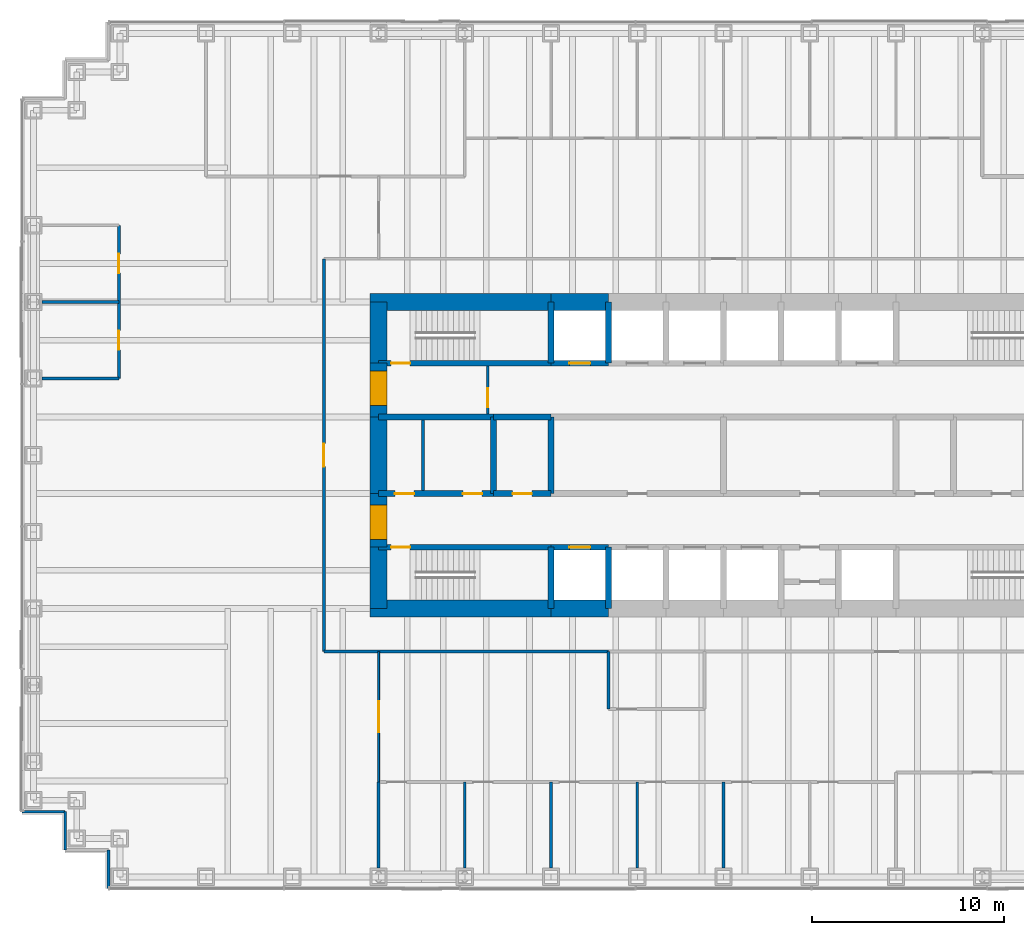
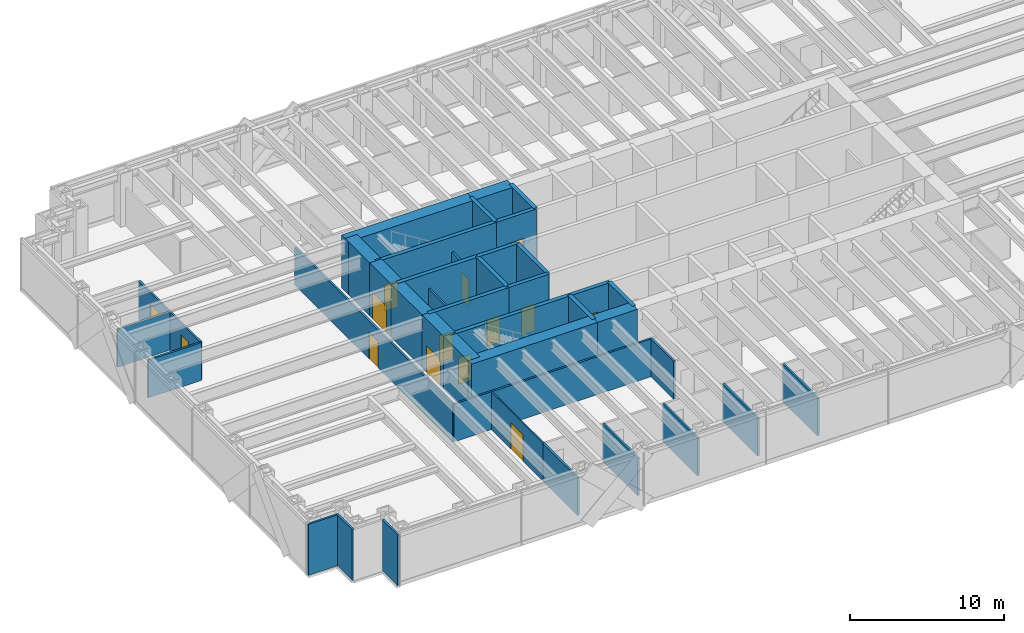
# One storey, part 11 of 15: 40 walls, 14 doors, 14 openings.
"""IFC4 building model written with IfcOpenShell, lengths in metres."""

import ifcopenshell
import ifcopenshell.guid

model = None  # the IFC model being written
_history = None  # IfcOwnerHistory: only IFC2X3 demands one
_inside = {}  # id of a spatial element -> (the spatial element, [elements in it])
_under = {}  # id of a project, library or spatial element -> (it, [spatial elements below it])
_declared = {}  # id of a project -> (the project, [libraries it declares])
_typed = {}  # id of a type object -> (the type object, [elements of that type])
_made_of = {}  # id of a material, layer set ... -> (it, [elements and type objects made of it])


def new_model(schema):
    """Start an empty IFC model of exactly this schema.

    Asked for "IFC4X3", IfcOpenShell would pick the latest addendum, in which some entities
    have other attributes; the version numbers below select the first issue.
    IFC2X3 requires an IfcOwnerHistory on every rooted entity: one is made here for all.
    """
    global model, _history
    if schema == "IFC4X3":
        model = ifcopenshell.file(schema_version=(4, 3, 0, 0))
    else:
        model = ifcopenshell.file(schema=schema)
    _inside.clear()
    _under.clear()
    _declared.clear()
    _typed.clear()
    _made_of.clear()
    _history = None
    if model.schema == "IFC2X3":
        org = make("IfcOrganization", Name="unknown")
        user = make(
            "IfcPersonAndOrganization",
            ThePerson=make("IfcPerson", FamilyName="unknown"),
            TheOrganization=org,
        )
        app = make(
            "IfcApplication",
            ApplicationDeveloper=org,
            Version="unknown",
            ApplicationFullName="unknown",
            ApplicationIdentifier="unknown",
        )
        _history = make(
            "IfcOwnerHistory",
            OwningUser=user,
            OwningApplication=app,
            ChangeAction="ADDED",
            CreationDate=0,
        )
    return model


def make(cls, **values):
    """One entity of the class cls with the attributes given. An attribute that is None is left unset."""
    return model.create_entity(
        cls, **{name: value for name, value in values.items() if value is not None}
    )


def rooted(cls, **values):
    """An entity with a GlobalId (a new one), such as an element, a storey or a relation."""
    return make(cls, GlobalId=ifcopenshell.guid.new(), OwnerHistory=_history, **values)


def si_unit(unit_type, name, prefix=None):
    """IfcSIUnit, for example si_unit("LENGTHUNIT", "METRE", prefix="MILLI")."""
    return make("IfcSIUnit", UnitType=unit_type, Prefix=prefix, Name=name)


def assignment(units):
    """IfcUnitAssignment: the units of a project."""
    return None if units is None else make("IfcUnitAssignment", Units=units)


def point(xyz):
    """IfcCartesianPoint."""
    return None if xyz is None else make("IfcCartesianPoint", Coordinates=xyz)


def direction(xyz):
    """IfcDirection."""
    return None if xyz is None else make("IfcDirection", DirectionRatios=xyz)


def frame(location, z_axis=None, x_axis=None):
    """IfcAxis2Placement3D, a coordinate frame: its origin and axes. An axis left out is left unset."""
    return make(
        "IfcAxis2Placement3D",
        Location=point(location),
        Axis=direction(z_axis),
        RefDirection=direction(x_axis),
    )


def frame_2d(location, x_axis=None):
    """IfcAxis2Placement2D, a coordinate frame in the plane: its origin and x axis."""
    return make(
        "IfcAxis2Placement2D", Location=point(location), RefDirection=direction(x_axis)
    )


def origin():
    """The frame at (0, 0, 0) with its axes left unset."""
    return frame((0.0, 0.0, 0.0))


def place(relative_to, where):
    """IfcLocalPlacement: puts the frame where relative to a parent placement (None: the world)."""
    return make(
        "IfcLocalPlacement", PlacementRelTo=relative_to, RelativePlacement=where
    )


def context(
    kind, dimensions, precision=None, world=None, true_north=None, identifier=None
):
    """IfcGeometricRepresentationContext, for example the 3D "Model" context."""
    return make(
        "IfcGeometricRepresentationContext",
        ContextIdentifier=identifier,
        ContextType=kind,
        CoordinateSpaceDimension=dimensions,
        Precision=precision,
        WorldCoordinateSystem=world,
        TrueNorth=true_north,
    )


def subcontext(parent, identifier, kind, view, scale=None):
    """IfcGeometricRepresentationSubContext, for example "Body" below "Model"."""
    return make(
        "IfcGeometricRepresentationSubContext",
        ContextIdentifier=identifier,
        ContextType=kind,
        ParentContext=parent,
        TargetScale=scale,
        TargetView=view,
    )


def project(units=None, contexts=None):
    """IfcProject with its units and contexts."""
    return rooted(
        "IfcProject",
        Name="project",
        RepresentationContexts=contexts,
        UnitsInContext=assignment(units),
    )


def spatial(cls, under=None, at=None, **own):
    """A site, building, storey or space (cls), placed at a placement, below another one or the project."""
    s = rooted(cls, ObjectPlacement=at, **own)
    if under is not None:
        _under.setdefault(under.id(), (under, []))[1].append(s)
    return s


def profile(cls, at=None, kind="AREA", **sizes):
    """A parametric profile (cls). Its sizes go by their IFC names, for example OverallWidth=200.0."""
    return make(cls, ProfileType=kind, Position=at, **sizes)


def rectangle(**sizes):
    """IfcRectangleProfileDef."""
    return profile("IfcRectangleProfileDef", **sizes)


def extrude(swept, where, along, depth):
    """IfcExtrudedAreaSolid: the profile swept, set in the frame where, extruded along a direction by depth."""
    return make(
        "IfcExtrudedAreaSolid",
        SweptArea=swept,
        Position=where,
        ExtrudedDirection=direction(along),
        Depth=depth,
    )


def shape(context_of_items, identifier, shape_type, items):
    """IfcShapeRepresentation: the items that make up one representation, for example the "Body"."""
    return make(
        "IfcShapeRepresentation",
        ContextOfItems=context_of_items,
        RepresentationIdentifier=identifier,
        RepresentationType=shape_type,
        Items=items,
    )


def material(Name=None, Category=None):
    """IfcMaterial."""
    return make("IfcMaterial", Name=Name, Category=Category)


def layer(
    of_material, thickness, ventilated=None, Name=None, Category=None, Priority=None
):
    """IfcMaterialLayer: one layer of a wall or slab, of a material (None: an air gap)."""
    return make(
        "IfcMaterialLayer",
        Material=of_material,
        LayerThickness=thickness,
        IsVentilated=ventilated,
        Name=Name,
        Category=Category,
        Priority=Priority,
    )


def layer_set(layers, Name=None):
    """IfcMaterialLayerSet."""
    return make("IfcMaterialLayerSet", MaterialLayers=layers, LayerSetName=Name)


def made_of(thing, what):
    """Note that an element or type object is made of a material, layer set ...; save() writes the relation."""
    if what is not None:
        _made_of.setdefault(what.id(), (what, []))[1].append(thing)
    return thing


def type_object(cls, material=None, **own):
    """A type object (cls), such as IfcWallType, which elements share."""
    return made_of(rooted(cls, **own), material)


def element(
    cls,
    number,
    at=None,
    inside=None,
    cuts=None,
    type_object=None,
    material=None,
    context=None,
    identifier="Body",
    shape_type=None,
    held_by="IfcProductDefinitionShape",
    body=None,
    shapes=None,
    **own,
):
    """One element of the class cls, such as IfcWall. Its Tag is "e" and its number.

    at: its placement. inside: the storey or other place that contains it. cuts: it is an
    opening in that element (IfcRelVoidsElement). A single representation is given by context,
    identifier, shape_type and body (its items); several are given by shapes. held_by: the class
    of the entity that holds the representations. save() writes the other relations.
    """
    e = rooted(cls, Tag="e%d" % number, ObjectPlacement=at, **own)
    if body is not None:
        shapes = [shape(context, identifier, shape_type, body)]
    if shapes is not None:
        e.Representation = make(held_by, Representations=shapes)
    if inside is not None:
        _inside.setdefault(inside.id(), (inside, []))[1].append(e)
    if cuts is not None:
        rooted(
            "IfcRelVoidsElement", RelatingBuildingElement=cuts, RelatedOpeningElement=e
        )
    if type_object is not None:
        _typed.setdefault(type_object.id(), (type_object, []))[1].append(e)
    return made_of(e, material)


def fill(opening, filler):
    """IfcRelFillsElement: the door or window that sits in an opening."""
    return rooted(
        "IfcRelFillsElement",
        RelatingOpeningElement=opening,
        RelatedBuildingElement=filler,
    )


def aggregate(whole, parts):
    """IfcRelAggregates: a whole, such as a stair, and the parts it consists of."""
    return rooted("IfcRelAggregates", RelatingObject=whole, RelatedObjects=parts)


def save(model, path):
    """Write the relations noted so far, then the file.

    IfcRelAggregates (storeys below a building ...), IfcRelContainedInSpatialStructure (elements
    in a storey), IfcRelDefinesByType, IfcRelAssociatesMaterial and IfcRelDeclares: one each for
    every whole, place, type object, material and project.
    """
    for whole, parts in _under.values():
        aggregate(whole, parts)
    for where, things in _inside.values():
        rooted(
            "IfcRelContainedInSpatialStructure",
            RelatedElements=things,
            RelatingStructure=where,
        )
    for kind, things in _typed.values():
        rooted("IfcRelDefinesByType", RelatedObjects=things, RelatingType=kind)
    for what, things in _made_of.values():
        rooted("IfcRelAssociatesMaterial", RelatedObjects=things, RelatingMaterial=what)
    for by, libraries in _declared.values():
        rooted("IfcRelDeclares", RelatingContext=by, RelatedDefinitions=libraries)
    model.write(path)


model = new_model("IFC4")

# Units and contexts
model_context = context("Model", 3, precision=1e-05, world=origin(), true_north=direction((0.0, 1.0)))
body_context = subcontext(model_context, "Body", "Model", "MODEL_VIEW")
ifc_project = project(units=[si_unit("LENGTHUNIT", "METRE"), si_unit("AREAUNIT", "SQUARE_METRE"), si_unit("VOLUMEUNIT", "CUBIC_METRE"), si_unit("PLANEANGLEUNIT", "RADIAN"), si_unit("MASSUNIT", "GRAM", prefix="KILO")], contexts=[model_context])

# Site, building, storey
site_placement = place(None, origin())
site = spatial("IfcSite", under=ifc_project, at=site_placement, CompositionType="ELEMENT")
building_placement = place(site_placement, origin())
building = spatial("IfcBuilding", under=site, at=building_placement, Name="Rheinbord Bourse Tower", CompositionType="ELEMENT")
storey_placement = place(building_placement, frame((0.0, 0.0, 108.89990234375)))
storey = spatial("IfcBuildingStorey", under=building, at=storey_placement, Name="L23", CompositionType="ELEMENT", Elevation=108.89990234375)

# Wall, opening, door
ifc_material_1 = material(Name="Concrete C50/60", Category="concrete")
ifc_layer_1 = layer(ifc_material_1, 0.300048828125)
ifc_layer_set_1 = layer_set([ifc_layer_1], Name="CORE INNER WALL 300")
wall_type_1 = type_object("IfcWallType", Name="CORE INNER WALL 300", PredefinedType="SOLIDWALL", material=ifc_layer_set_1)
wall_1_placement = place(storey_placement, frame((18.0, 19.199951171875, 0.0), z_axis=(0.0, 0.0, 1.0), x_axis=(1.0, 0.0, 0.0)))
wall_1 = element("IfcWall", 1, at=wall_1_placement, inside=storey, type_object=wall_type_1, Name="Core wall A1 L23", PredefinedType="SOLIDWALL", context=body_context, shape_type="SweptSolid", body=[
    extrude(rectangle(XDim=9.0, YDim=0.300048828125, at=frame_2d((4.5, 0.0))), origin(), (0.0, 0.0, 1.0), 4.2001953125),
])
opening_1_placement = place(wall_1_placement, frame((0.64990234375, 0.0, 0.0)))
opening_1 = element("IfcOpeningElement", 2, at=opening_1_placement, cuts=wall_1, Name="Opening 2310", PredefinedType="OPENING", context=body_context, shape_type="SweptSolid", body=[
    extrude(rectangle(XDim=1.0, YDim=2.10009765625, at=frame_2d((0.5, 1.050048828125))), frame((0.0, 0.159912109375, 0.0), z_axis=(0.0, -1.0, 0.0), x_axis=(1.0, 0.0, 0.0)), (0.0, 0.0, 1.0), 0.320068359375),
])
ifc_material_2 = material(Name="Steel door", Category="steel")
door_type_1 = type_object("IfcDoorType", Name="DOOR 1000 EI30", OperationType="SINGLE_SWING_LEFT", PredefinedType="DOOR", material=ifc_material_2)
door_1_placement = place(opening_1_placement, origin())
door_1 = element("IfcDoor", 3, at=door_1_placement, inside=storey, type_object=door_type_1, Name="Stair door ST1 L23", OperationType="SINGLE_SWING_LEFT", OverallHeight=2.10009765625, OverallWidth=1.0, PredefinedType="DOOR", context=body_context, shape_type="SweptSolid", body=[
    extrude(rectangle(XDim=1.0, YDim=2.10009765625, at=frame_2d((0.5, 1.050048828125))), frame((0.0, 0.02490234375, 0.0), z_axis=(0.0, -1.0, 0.0), x_axis=(1.0, 0.0, 0.0)), (0.0, 0.0, 1.0), 0.050048828125),
])
fill(opening_1, door_1)

wall_2_placement = place(storey_placement, frame((27.0, 19.199951171875, 0.0), z_axis=(0.0, 0.0, 1.0), x_axis=(1.0, 0.0, 0.0)))
wall_2 = element("IfcWall", 4, at=wall_2_placement, inside=storey, type_object=wall_type_1, Name="Core wall A2 L23", PredefinedType="SOLIDWALL", context=body_context, shape_type="SweptSolid", body=[
    extrude(rectangle(XDim=3.0, YDim=0.300048828125, at=frame_2d((1.5, 0.0))), origin(), (0.0, 0.0, 1.0), 4.2001953125),
])
opening_2_placement = place(wall_2_placement, frame((0.949951171875, 0.0, 0.0)))
opening_2 = element("IfcOpeningElement", 5, at=opening_2_placement, cuts=wall_2, Name="Opening FL1", PredefinedType="OPENING", context=body_context, shape_type="SweptSolid", body=[
    extrude(rectangle(XDim=1.10009765625, YDim=2.199951171875, at=frame_2d((0.550048828125, 1.10009765625))), frame((0.0, 0.159912109375, 0.0), z_axis=(0.0, -1.0, 0.0), x_axis=(1.0, 0.0, 0.0)), (0.0, 0.0, 1.0), 0.320068359375),
])
ifc_material_3 = material(Name="Steel landing door", Category="steel")
door_type_2 = type_object("IfcDoorType", Name="LIFT LANDING DOOR 1100", OperationType="DOUBLE_DOOR_SLIDING", PredefinedType="USERDEFINED", material=ifc_material_3)
door_2_placement = place(opening_2_placement, origin())
door_2 = element("IfcDoor", 6, at=door_2_placement, inside=storey, type_object=door_type_2, Name="Lift landing door FL1 L23", ObjectType="LIFT LANDING DOOR", OperationType="DOUBLE_DOOR_SLIDING", OverallHeight=2.199951171875, OverallWidth=1.10009765625, PredefinedType="USERDEFINED", context=body_context, shape_type="SweptSolid", body=[
    extrude(rectangle(XDim=1.10009765625, YDim=2.199951171875, at=frame_2d((0.550048828125, 1.10009765625))), frame((0.0, 0.02490234375, 0.0), z_axis=(0.0, -1.0, 0.0), x_axis=(1.0, 0.0, 0.0)), (0.0, 0.0, 1.0), 0.050048828125),
])
fill(opening_2, door_2)

wall_3_placement = place(storey_placement, frame((18.0, 28.800048828125, 0.0), z_axis=(0.0, 0.0, 1.0), x_axis=(1.0, 0.0, 0.0)))
wall_3 = element("IfcWall", 7, at=wall_3_placement, inside=storey, type_object=wall_type_1, Name="Core wall B1 L23", PredefinedType="SOLIDWALL", context=body_context, shape_type="SweptSolid", body=[
    extrude(rectangle(XDim=9.0, YDim=0.300048828125, at=frame_2d((4.5, 0.0))), origin(), (0.0, 0.0, 1.0), 4.2001953125),
])
opening_3_placement = place(wall_3_placement, frame((0.64990234375, 0.0, 0.0)))
opening_3 = element("IfcOpeningElement", 8, at=opening_3_placement, cuts=wall_3, Name="Opening 2320", PredefinedType="OPENING", context=body_context, shape_type="SweptSolid", body=[
    extrude(rectangle(XDim=1.0, YDim=2.10009765625, at=frame_2d((0.5, 1.050048828125))), frame((0.0, 0.159912109375, 0.0), z_axis=(0.0, -1.0, 0.0), x_axis=(1.0, 0.0, 0.0)), (0.0, 0.0, 1.0), 0.320068359375),
])
door_3_placement = place(opening_3_placement, origin())
door_3 = element("IfcDoor", 9, at=door_3_placement, inside=storey, type_object=door_type_1, Name="Stair door ST2 L23", OperationType="SINGLE_SWING_LEFT", OverallHeight=2.10009765625, OverallWidth=1.0, PredefinedType="DOOR", context=body_context, shape_type="SweptSolid", body=[
    extrude(rectangle(XDim=1.0, YDim=2.10009765625, at=frame_2d((0.5, 1.050048828125))), frame((0.0, 0.02490234375, 0.0), z_axis=(0.0, -1.0, 0.0), x_axis=(1.0, 0.0, 0.0)), (0.0, 0.0, 1.0), 0.050048828125),
])
fill(opening_3, door_3)

wall_4_placement = place(storey_placement, frame((27.0, 28.800048828125, 0.0), z_axis=(0.0, 0.0, 1.0), x_axis=(1.0, 0.0, 0.0)))
wall_4 = element("IfcWall", 10, at=wall_4_placement, inside=storey, type_object=wall_type_1, Name="Core wall B2 L23", PredefinedType="SOLIDWALL", context=body_context, shape_type="SweptSolid", body=[
    extrude(rectangle(XDim=3.0, YDim=0.300048828125, at=frame_2d((1.5, 0.0))), origin(), (0.0, 0.0, 1.0), 4.2001953125),
])
opening_4_placement = place(wall_4_placement, frame((0.949951171875, 0.0, 0.0)))
opening_4 = element("IfcOpeningElement", 11, at=opening_4_placement, cuts=wall_4, Name="Opening GL1", PredefinedType="OPENING", context=body_context, shape_type="SweptSolid", body=[
    extrude(rectangle(XDim=1.10009765625, YDim=2.199951171875, at=frame_2d((0.550048828125, 1.10009765625))), frame((0.0, 0.159912109375, 0.0), z_axis=(0.0, -1.0, 0.0), x_axis=(1.0, 0.0, 0.0)), (0.0, 0.0, 1.0), 0.320068359375),
])
door_4_placement = place(opening_4_placement, origin())
door_4 = element("IfcDoor", 12, at=door_4_placement, inside=storey, type_object=door_type_2, Name="Lift landing door GL1 L23", ObjectType="LIFT LANDING DOOR", OperationType="DOUBLE_DOOR_SLIDING", OverallHeight=2.199951171875, OverallWidth=1.10009765625, PredefinedType="USERDEFINED", context=body_context, shape_type="SweptSolid", body=[
    extrude(rectangle(XDim=1.10009765625, YDim=2.199951171875, at=frame_2d((0.550048828125, 1.10009765625))), frame((0.0, 0.02490234375, 0.0), z_axis=(0.0, -1.0, 0.0), x_axis=(1.0, 0.0, 0.0)), (0.0, 0.0, 1.0), 0.050048828125),
])
fill(opening_4, door_4)

# Wall, openings, doors
wall_5_placement = place(storey_placement, frame((18.0, 22.0, 0.0), z_axis=(0.0, 0.0, 1.0), x_axis=(1.0, 0.0, 0.0)))
wall_5 = element("IfcWall", 13, at=wall_5_placement, inside=storey, type_object=wall_type_1, Name="Core wall C1 L23", PredefinedType="SOLIDWALL", context=body_context, shape_type="SweptSolid", body=[
    extrude(rectangle(XDim=6.0, YDim=0.300048828125, at=frame_2d((3.0, 0.0))), origin(), (0.0, 0.0, 1.0), 4.2001953125),
])
opening_5_placement = place(wall_5_placement, frame((4.39990234375, 0.0, 0.0)))
opening_5 = element("IfcOpeningElement", 14, at=opening_5_placement, cuts=wall_5, Name="Opening 23R1", PredefinedType="OPENING", context=body_context, shape_type="SweptSolid", body=[
    extrude(rectangle(XDim=1.0, YDim=2.10009765625, at=frame_2d((0.5, 1.050048828125))), frame((0.0, 0.159912109375, 0.0), z_axis=(0.0, -1.0, 0.0), x_axis=(1.0, 0.0, 0.0)), (0.0, 0.0, 1.0), 0.320068359375),
])
opening_6_placement = place(wall_5_placement, frame((0.85009765625, 0.0, 0.0)))
opening_6 = element("IfcOpeningElement", 15, at=opening_6_placement, cuts=wall_5, Name="Opening 23R9", PredefinedType="OPENING", context=body_context, shape_type="SweptSolid", body=[
    extrude(rectangle(XDim=1.0, YDim=2.10009765625, at=frame_2d((0.5, 1.050048828125))), frame((0.0, 0.159912109375, 0.0), z_axis=(0.0, -1.0, 0.0), x_axis=(1.0, 0.0, 0.0)), (0.0, 0.0, 1.0), 0.320068359375),
])
door_5_placement = place(opening_6_placement, origin())
door_5 = element("IfcDoor", 16, at=door_5_placement, inside=storey, type_object=door_type_1, Name="Staff shower door L23", OperationType="SINGLE_SWING_LEFT", OverallHeight=2.10009765625, OverallWidth=1.0, PredefinedType="DOOR", context=body_context, shape_type="SweptSolid", body=[
    extrude(rectangle(XDim=1.0, YDim=2.10009765625, at=frame_2d((0.5, 1.050048828125))), frame((0.0, 0.02490234375, 0.0), z_axis=(0.0, -1.0, 0.0), x_axis=(1.0, 0.0, 0.0)), (0.0, 0.0, 1.0), 0.050048828125),
])
fill(opening_6, door_5)
ifc_material_4 = material(Name="Timber door", Category="wood")
door_type_3 = type_object("IfcDoorType", Name="DOOR 1000 WC", OperationType="SINGLE_SWING_LEFT", PredefinedType="DOOR", material=ifc_material_4)
door_6_placement = place(opening_5_placement, origin())
door_6 = element("IfcDoor", 17, at=door_6_placement, inside=storey, type_object=door_type_3, Name="WC men door L23", OperationType="SINGLE_SWING_RIGHT", OverallHeight=2.10009765625, OverallWidth=1.0, PredefinedType="DOOR", context=body_context, shape_type="SweptSolid", body=[
    extrude(rectangle(XDim=1.0, YDim=2.10009765625, at=frame_2d((0.5, 1.050048828125))), frame((0.0, 0.02490234375, 0.0), z_axis=(0.0, -1.0, 0.0), x_axis=(1.0, 0.0, 0.0)), (0.0, 0.0, 1.0), 0.050048828125),
])
fill(opening_5, door_6)

# Wall, opening, door
wall_6_placement = place(storey_placement, frame((24.0, 22.0, 0.0), z_axis=(0.0, 0.0, 1.0), x_axis=(1.0, 0.0, 0.0)))
wall_6 = element("IfcWall", 18, at=wall_6_placement, inside=storey, type_object=wall_type_1, Name="Core wall C2 L23", PredefinedType="SOLIDWALL", context=body_context, shape_type="SweptSolid", body=[
    extrude(rectangle(XDim=3.0, YDim=0.300048828125, at=frame_2d((1.5, 0.0))), origin(), (0.0, 0.0, 1.0), 4.2001953125),
])
opening_7_placement = place(wall_6_placement, frame((1.0, 0.0, 0.0)))
opening_7 = element("IfcOpeningElement", 19, at=opening_7_placement, cuts=wall_6, Name="Opening 23R2", PredefinedType="OPENING", context=body_context, shape_type="SweptSolid", body=[
    extrude(rectangle(XDim=1.0, YDim=2.10009765625, at=frame_2d((0.5, 1.050048828125))), frame((0.0, 0.159912109375, 0.0), z_axis=(0.0, -1.0, 0.0), x_axis=(1.0, 0.0, 0.0)), (0.0, 0.0, 1.0), 0.320068359375),
])
door_7_placement = place(opening_7_placement, origin())
door_7 = element("IfcDoor", 20, at=door_7_placement, inside=storey, type_object=door_type_3, Name="Shower and accessible WC door L23", OperationType="SINGLE_SWING_LEFT", OverallHeight=2.10009765625, OverallWidth=1.0, PredefinedType="DOOR", context=body_context, shape_type="SweptSolid", body=[
    extrude(rectangle(XDim=1.0, YDim=2.10009765625, at=frame_2d((0.5, 1.050048828125))), frame((0.0, 0.02490234375, 0.0), z_axis=(0.0, -1.0, 0.0), x_axis=(1.0, 0.0, 0.0)), (0.0, 0.0, 1.0), 0.050048828125),
])
fill(opening_7, door_7)

# Walls
wall_7_placement = place(storey_placement, frame((18.0, 26.0, 0.0), z_axis=(0.0, 0.0, 1.0), x_axis=(1.0, 0.0, 0.0)))
element("IfcWall", 21, at=wall_7_placement, inside=storey, type_object=wall_type_1, Name="Core wall D1 L23", PredefinedType="SOLIDWALL", context=body_context, shape_type="SweptSolid", body=[
    extrude(rectangle(XDim=6.0, YDim=0.300048828125, at=frame_2d((3.0, 0.0))), origin(), (0.0, 0.0, 1.0), 4.2001953125),
])
wall_8_placement = place(storey_placement, frame((24.0, 26.0, 0.0), z_axis=(0.0, 0.0, 1.0), x_axis=(1.0, 0.0, 0.0)))
element("IfcWall", 22, at=wall_8_placement, inside=storey, type_object=wall_type_1, Name="Core wall D2 L23", PredefinedType="SOLIDWALL", context=body_context, shape_type="SweptSolid", body=[
    extrude(rectangle(XDim=3.0, YDim=0.300048828125, at=frame_2d((1.5, 0.0))), origin(), (0.0, 0.0, 1.0), 4.2001953125),
])
for number, where, z_axis, x_axis, name in (
    (23, (27.0, 16.0, 0.0), (0.0, 0.0, 1.0), (0.0, 1.0, 0.0), "Core wall SX27 L23"),
    (24, (27.0, 28.800048828125, 0.0), (0.0, 0.0, 1.0), (0.0, 1.0, 0.0), "Core wall NX27 L23"),
    (25, (30.0, 16.0, 0.0), (0.0, 0.0, 1.0), (0.0, 1.0, 0.0), "Core wall SX30 L23"),
    (26, (30.0, 28.800048828125, 0.0), (0.0, 0.0, 1.0), (0.0, 1.0, 0.0), "Core wall NX30 L23"),
):
    element("IfcWall", number, at=place(storey_placement, frame(where, z_axis=z_axis, x_axis=x_axis)), inside=storey, type_object=wall_type_1, Name=name, PredefinedType="SOLIDWALL", context=body_context, shape_type="SweptSolid", body=[
        extrude(rectangle(XDim=3.199951171875, YDim=0.300048828125, at=frame_2d((1.60009765625, 0.0))), origin(), (0.0, 0.0, 1.0), 4.2001953125),
    ])
for number, where, z_axis, x_axis, name in (
    (27, (24.0, 22.0, 0.0), (0.0, 0.0, 1.0), (0.0, 1.0, 0.0), "Core wall MX24 L23"),
    (28, (27.0, 22.0, 0.0), (0.0, 0.0, 1.0), (0.0, 1.0, 0.0), "Core wall MX27 L23"),
):
    element("IfcWall", number, at=place(storey_placement, frame(where, z_axis=z_axis, x_axis=x_axis)), inside=storey, type_object=wall_type_1, Name=name, PredefinedType="SOLIDWALL", context=body_context, shape_type="SweptSolid", body=[
        extrude(rectangle(XDim=4.0, YDim=0.300048828125, at=frame_2d((2.0, 0.0))), origin(), (0.0, 0.0, 1.0), 4.2001953125),
    ])
ifc_material_5 = material(Name="Gypsum board fire partition", Category="gypsum board")
ifc_layer_2 = layer(ifc_material_5, 0.14990234375)
ifc_layer_set_2 = layer_set([ifc_layer_2], Name="CORE PARTITION 150 EI30")
wall_type_2 = type_object("IfcWallType", Name="CORE PARTITION 150 EI30", PredefinedType="PARTITIONING", material=ifc_layer_set_2)
wall_9_placement = place(storey_placement, frame((20.324951171875, 22.14990234375, 0.0), z_axis=(0.0, 0.0, 1.0), x_axis=(0.0, 1.0, 0.0)))
element("IfcWall", 29, at=wall_9_placement, inside=storey, type_object=wall_type_2, Name="Core partition L23-2", PredefinedType="PARTITIONING", context=body_context, shape_type="SweptSolid", body=[
    extrude(rectangle(XDim=3.7001953125, YDim=0.14990234375, at=frame_2d((1.85009765625, 0.0))), origin(), (0.0, 0.0, 1.0), 3.0),
])

# Wall, opening, door
wall_10_placement = place(storey_placement, frame((23.699951171875, 26.14990234375, 0.0), z_axis=(0.0, 0.0, 1.0), x_axis=(0.0, 1.0, 0.0)))
wall_10 = element("IfcWall", 30, at=wall_10_placement, inside=storey, type_object=wall_type_2, Name="Core partition L23-5", PredefinedType="PARTITIONING", context=body_context, shape_type="SweptSolid", body=[
    extrude(rectangle(XDim=2.5, YDim=0.14990234375, at=frame_2d((1.25, 0.0))), origin(), (0.0, 0.0, 1.0), 3.0),
])
opening_8_placement = place(wall_10_placement, frame((0.35009765625, 0.0, 0.0)))
opening_8 = element("IfcOpeningElement", 31, at=opening_8_placement, cuts=wall_10, Name="Opening 23L6", PredefinedType="OPENING", context=body_context, shape_type="SweptSolid", body=[
    extrude(rectangle(XDim=1.0, YDim=2.10009765625, at=frame_2d((0.5, 1.050048828125))), frame((0.0, 0.0849609375, 0.0), z_axis=(0.0, -1.0, 0.0), x_axis=(1.0, 0.0, 0.0)), (0.0, 0.0, 1.0), 0.169921875),
])
door_8_placement = place(opening_8_placement, origin())
door_8 = element("IfcDoor", 32, at=door_8_placement, inside=storey, type_object=door_type_1, Name="Stair lobby door L23", OperationType="SINGLE_SWING_LEFT", OverallHeight=2.10009765625, OverallWidth=1.0, PredefinedType="DOOR", context=body_context, shape_type="SweptSolid", body=[
    extrude(rectangle(XDim=1.0, YDim=2.10009765625, at=frame_2d((0.5, 1.050048828125))), frame((0.0, 0.02490234375, 0.0), z_axis=(0.0, -1.0, 0.0), x_axis=(1.0, 0.0, 0.0)), (0.0, 0.0, 1.0), 0.050048828125),
])
fill(opening_8, door_8)

# Walls
ifc_material_6 = material(Name="Concrete C50/60", Category="concrete")
ifc_layer_3 = layer(ifc_material_6, 0.89990234375)
ifc_layer_set_3 = layer_set([ifc_layer_3], Name="CORE WALL 900")
wall_type_3 = type_object("IfcWallType", Name="CORE WALL 900", PredefinedType="SHEAR", material=ifc_layer_set_3)
wall_11_placement = place(storey_placement, frame((17.550048828125, 16.0, 0.0), z_axis=(0.0, 0.0, 1.0), x_axis=(1.0, 0.0, 0.0)))
element("IfcWall", 33, at=wall_11_placement, inside=storey, type_object=wall_type_3, Name="Core wall S1 L23", PredefinedType="SHEAR", context=body_context, shape_type="SweptSolid", body=[
    extrude(rectangle(XDim=9.449951171875, YDim=0.89990234375, at=frame_2d((4.72509765625, 0.0))), origin(), (0.0, 0.0, 1.0), 4.2001953125),
])
for number, where, z_axis, x_axis, name in (
    (34, (27.0, 16.0, 0.0), (0.0, 0.0, 1.0), (1.0, 0.0, 0.0), "Core wall S2 L23"),
    (35, (30.0, 32.0, 0.0), (0.0, 0.0, 1.0), (-1.0, 0.0, 0.0), "Core wall N7 L23"),
):
    element("IfcWall", number, at=place(storey_placement, frame(where, z_axis=z_axis, x_axis=x_axis)), inside=storey, type_object=wall_type_3, Name=name, PredefinedType="SHEAR", context=body_context, shape_type="SweptSolid", body=[
        extrude(rectangle(XDim=3.0, YDim=0.89990234375, at=frame_2d((1.5, 0.0))), origin(), (0.0, 0.0, 1.0), 4.2001953125),
    ])
wall_12_placement = place(storey_placement, frame((27.0, 32.0, 0.0), z_axis=(0.0, 0.0, 1.0), x_axis=(-1.0, 0.0, 0.0)))
element("IfcWall", 36, at=wall_12_placement, inside=storey, type_object=wall_type_3, Name="Core wall N8 L23", PredefinedType="SHEAR", context=body_context, shape_type="SweptSolid", body=[
    extrude(rectangle(XDim=9.449951171875, YDim=0.89990234375, at=frame_2d((4.72509765625, 0.0))), origin(), (0.0, 0.0, 1.0), 4.2001953125),
])
wall_13_placement = place(storey_placement, frame((18.0, 32.0, 0.0), z_axis=(0.0, 0.0, 1.0), x_axis=(0.0, -1.0, 0.0)))
element("IfcWall", 37, at=wall_13_placement, inside=storey, type_object=wall_type_3, Name="Core wall W1 L23", PredefinedType="SHEAR", context=body_context, shape_type="SweptSolid", body=[
    extrude(rectangle(XDim=3.199951171875, YDim=0.89990234375, at=frame_2d((1.60009765625, 0.0))), origin(), (0.0, 0.0, 1.0), 4.2001953125),
])

# Wall, opening, door
wall_14_placement = place(storey_placement, frame((18.0, 28.800048828125, 0.0), z_axis=(0.0, 0.0, 1.0), x_axis=(0.0, -1.0, 0.0)))
wall_14 = element("IfcWall", 38, at=wall_14_placement, inside=storey, type_object=wall_type_3, Name="Core wall W2 L23", PredefinedType="SHEAR", context=body_context, shape_type="SweptSolid", body=[
    extrude(rectangle(XDim=2.800048828125, YDim=0.89990234375, at=frame_2d((1.39990234375, 0.0))), origin(), (0.0, 0.0, 1.0), 4.2001953125),
])
opening_9_placement = place(wall_14_placement, frame((0.39990234375, 0.0, 0.0)))
opening_9 = element("IfcOpeningElement", 39, at=opening_9_placement, cuts=wall_14, Name="Opening 23L2", PredefinedType="OPENING", context=body_context, shape_type="SweptSolid", body=[
    extrude(rectangle(XDim=1.800048828125, YDim=2.10009765625, at=frame_2d((0.89990234375, 1.050048828125))), frame((0.0, 0.4599609375, 0.0), z_axis=(0.0, -1.0, 0.0), x_axis=(1.0, 0.0, 0.0)), (0.0, 0.0, 1.0), 0.919921875),
])
ifc_material_7 = material(Name="Steel door", Category="steel")
door_type_4 = type_object("IfcDoorType", Name="DOOR 1800 EI30 DOUBLE", OperationType="DOUBLE_DOOR_DOUBLE_SWING", PredefinedType="DOOR", material=ifc_material_7)
door_9_placement = place(opening_9_placement, origin())
door_9 = element("IfcDoor", 40, at=door_9_placement, inside=storey, type_object=door_type_4, Name="Lobby door 2 L23", OperationType="SINGLE_SWING_LEFT", OverallHeight=2.10009765625, OverallWidth=1.800048828125, PredefinedType="DOOR", context=body_context, shape_type="SweptSolid", body=[
    extrude(rectangle(XDim=1.800048828125, YDim=2.10009765625, at=frame_2d((0.89990234375, 1.050048828125))), frame((0.0, 0.44970703125, 0.0), z_axis=(0.0, -1.0, 0.0), x_axis=(1.0, 0.0, 0.0)), (0.0, 0.0, 1.0), 0.8994140625),
])
fill(opening_9, door_9)

# Wall
wall_15_placement = place(storey_placement, frame((18.0, 26.0, 0.0), z_axis=(0.0, 0.0, 1.0), x_axis=(0.0, -1.0, 0.0)))
element("IfcWall", 41, at=wall_15_placement, inside=storey, type_object=wall_type_3, Name="Core wall W3 L23", PredefinedType="SHEAR", context=body_context, shape_type="SweptSolid", body=[
    extrude(rectangle(XDim=4.0, YDim=0.89990234375, at=frame_2d((2.0, 0.0))), origin(), (0.0, 0.0, 1.0), 4.2001953125),
])

# Wall, opening, door
wall_16_placement = place(storey_placement, frame((18.0, 22.0, 0.0), z_axis=(0.0, 0.0, 1.0), x_axis=(0.0, -1.0, 0.0)))
wall_16 = element("IfcWall", 42, at=wall_16_placement, inside=storey, type_object=wall_type_3, Name="Core wall W4 L23", PredefinedType="SHEAR", context=body_context, shape_type="SweptSolid", body=[
    extrude(rectangle(XDim=2.800048828125, YDim=0.89990234375, at=frame_2d((1.39990234375, 0.0))), origin(), (0.0, 0.0, 1.0), 4.2001953125),
])
opening_10_placement = place(wall_16_placement, frame((0.60009765625, 0.0, 0.0)))
opening_10 = element("IfcOpeningElement", 43, at=opening_10_placement, cuts=wall_16, Name="Opening 23L1", PredefinedType="OPENING", context=body_context, shape_type="SweptSolid", body=[
    extrude(rectangle(XDim=1.800048828125, YDim=2.10009765625, at=frame_2d((0.89990234375, 1.050048828125))), frame((0.0, 0.4599609375, 0.0), z_axis=(0.0, -1.0, 0.0), x_axis=(1.0, 0.0, 0.0)), (0.0, 0.0, 1.0), 0.919921875),
])
door_10_placement = place(opening_10_placement, origin())
door_10 = element("IfcDoor", 44, at=door_10_placement, inside=storey, type_object=door_type_4, Name="Lobby door 1 L23", OperationType="SINGLE_SWING_LEFT", OverallHeight=2.10009765625, OverallWidth=1.800048828125, PredefinedType="DOOR", context=body_context, shape_type="SweptSolid", body=[
    extrude(rectangle(XDim=1.800048828125, YDim=2.10009765625, at=frame_2d((0.89990234375, 1.050048828125))), frame((0.0, 0.44970703125, 0.0), z_axis=(0.0, -1.0, 0.0), x_axis=(1.0, 0.0, 0.0)), (0.0, 0.0, 1.0), 0.8994140625),
])
fill(opening_10, door_10)

# Walls
wall_17_placement = place(storey_placement, frame((18.0, 19.199951171875, 0.0), z_axis=(0.0, 0.0, 1.0), x_axis=(0.0, -1.0, 0.0)))
element("IfcWall", 45, at=wall_17_placement, inside=storey, type_object=wall_type_3, Name="Core wall W5 L23", PredefinedType="SHEAR", context=body_context, shape_type="SweptSolid", body=[
    extrude(rectangle(XDim=3.199951171875, YDim=0.89990234375, at=frame_2d((1.60009765625, 0.0))), origin(), (0.0, 0.0, 1.0), 4.2001953125),
])
ifc_material_8 = material(Name="Black metal rainscreen panel", Category="aluminium")
ifc_layer_4 = layer(ifc_material_8, 0.14990234375)
ifc_layer_set_4 = layer_set([ifc_layer_4], Name="CORNER PIER CLADDING 150")
wall_type_4 = type_object("IfcWallType", Name="CORNER PIER CLADDING 150", PredefinedType="ELEMENTEDWALL", material=ifc_layer_set_4)
wall_18_placement = place(storey_placement, frame((-0.60009765625, 5.39990234375, 0.0), z_axis=(0.0, 0.0, 1.0), x_axis=(1.0, 0.0, 0.0)))
element("IfcWall", 46, at=wall_18_placement, inside=storey, type_object=wall_type_4, Name="Corner pier cladding L23 17", PredefinedType="ELEMENTEDWALL", context=body_context, shape_type="SweptSolid", body=[
    extrude(rectangle(XDim=2.25, YDim=0.14990234375, at=frame_2d((1.125, 0.0))), origin(), (0.0, 0.0, 1.0), 4.0400390625),
])
for number, where, z_axis, x_axis, name in (
    (47, (1.64990234375, 5.39990234375, 0.0), (0.0, 0.0, 1.0), (0.0, -1.0, 0.0), "Corner pier cladding L23 18"),
    (48, (3.89990234375, 3.39990234375, 0.0), (0.0, 0.0, 1.0), (0.0, -1.0, 0.0), "Corner pier cladding L23 20"),
):
    element("IfcWall", number, at=place(storey_placement, frame(where, z_axis=z_axis, x_axis=x_axis)), inside=storey, type_object=wall_type_4, Name=name, PredefinedType="ELEMENTEDWALL", context=body_context, shape_type="SweptSolid", body=[
        extrude(rectangle(XDim=2.0, YDim=0.14990234375, at=frame_2d((1.0, 0.0))), origin(), (0.0, 0.0, 1.0), 4.0400390625),
    ])
ifc_material_9 = material(Name="Gypsum board corridor partition", Category="gypsum board")
ifc_layer_5 = layer(ifc_material_9, 0.14990234375)
ifc_layer_set_5 = layer_set([ifc_layer_5], Name="CORRIDOR PARTITION 150 EI30")
wall_type_5 = type_object("IfcWallType", Name="CORRIDOR PARTITION 150 EI30", PredefinedType="PARTITIONING", material=ifc_layer_set_5)
wall_19_placement = place(storey_placement, frame((15.14990234375, 13.75, 0.0), z_axis=(0.0, 0.0, 1.0), x_axis=(1.0, 0.0, 0.0)))
element("IfcWall", 49, at=wall_19_placement, inside=storey, type_object=wall_type_5, Name="Partition L23-04", PredefinedType="PARTITIONING", context=body_context, shape_type="SweptSolid", body=[
    extrude(rectangle(XDim=14.85009765625, YDim=0.14990234375, at=frame_2d((7.425048828125, 0.0))), origin(), (0.0, 0.0, 1.0), 3.0),
])

# Wall, opening, door
wall_20_placement = place(storey_placement, frame((15.14990234375, 13.75, 0.0), z_axis=(0.0, 0.0, 1.0), x_axis=(0.0, 1.0, 0.0)))
wall_20 = element("IfcWall", 50, at=wall_20_placement, inside=storey, type_object=wall_type_5, Name="Partition L23-18", PredefinedType="PARTITIONING", context=body_context, shape_type="SweptSolid", body=[
    extrude(rectangle(XDim=20.5, YDim=0.14990234375, at=frame_2d((10.25, 0.0))), origin(), (0.0, 0.0, 1.0), 3.0),
])
opening_11_placement = place(wall_20_placement, frame((9.64990234375, 0.0, 0.0)))
opening_11 = element("IfcOpeningElement", 51, at=opening_11_placement, cuts=wall_20, Name="Opening 23D24", PredefinedType="OPENING", context=body_context, shape_type="SweptSolid", body=[
    extrude(rectangle(XDim=1.199951171875, YDim=2.10009765625, at=frame_2d((0.60009765625, 1.050048828125))), frame((0.0, 0.0849609375, 0.0), z_axis=(0.0, -1.0, 0.0), x_axis=(1.0, 0.0, 0.0)), (0.0, 0.0, 1.0), 0.169921875),
])
ifc_material_10 = material(Name="Timber fire door", Category="wood")
door_type_5 = type_object("IfcDoorType", Name="SUITE ENTRANCE DOOR 1200 EI30", OperationType="SINGLE_SWING_LEFT", PredefinedType="DOOR", material=ifc_material_10)
door_11_placement = place(opening_11_placement, origin())
door_11 = element("IfcDoor", 52, at=door_11_placement, inside=storey, type_object=door_type_5, Name="Suite entrance 1 door L23", OperationType="SINGLE_SWING_LEFT", OverallHeight=2.10009765625, OverallWidth=1.199951171875, PredefinedType="DOOR", context=body_context, shape_type="SweptSolid", body=[
    extrude(rectangle(XDim=1.199951171875, YDim=2.10009765625, at=frame_2d((0.60009765625, 1.050048828125))), frame((0.0, 0.02490234375, 0.0), z_axis=(0.0, -1.0, 0.0), x_axis=(1.0, 0.0, 0.0)), (0.0, 0.0, 1.0), 0.050048828125),
])
fill(opening_11, door_11)

# Wall
ifc_material_11 = material(Name="Gypsum board fire partition", Category="gypsum board")
ifc_layer_6 = layer(ifc_material_11, 0.14990234375)
ifc_layer_set_6 = layer_set([ifc_layer_6], Name="FIRE PARTITION 150 EI60")
wall_type_6 = type_object("IfcWallType", Name="FIRE PARTITION 150 EI60", PredefinedType="PARTITIONING", material=ifc_layer_set_6)
wall_21_placement = place(storey_placement, frame((30.0, 10.75, 0.0), z_axis=(0.0, 0.0, 1.0), x_axis=(0.0, 1.0, 0.0)))
element("IfcWall", 53, at=wall_21_placement, inside=storey, type_object=wall_type_6, Name="Partition L23-26", PredefinedType="PARTITIONING", context=body_context, shape_type="SweptSolid", body=[
    extrude(rectangle(XDim=3.0, YDim=0.14990234375, at=frame_2d((1.5, 0.0))), origin(), (0.0, 0.0, 1.0), 3.0),
])

# Wall, opening, door
ifc_material_12 = material(Name="Toughened laminated glass partition", Category="glass")
ifc_layer_7 = layer(ifc_material_12, 0.10009765625)
ifc_layer_set_7 = layer_set([ifc_layer_7], Name="GLAZED PARTITION 100")
wall_type_7 = type_object("IfcWallType", Name="GLAZED PARTITION 100", PredefinedType="PARTITIONING", material=ifc_layer_set_7)
wall_22_placement = place(storey_placement, frame((18.0, 6.949951171875, 0.0), z_axis=(0.0, 0.0, 1.0), x_axis=(0.0, 1.0, 0.0)))
wall_22 = element("IfcWall", 54, at=wall_22_placement, inside=storey, type_object=wall_type_7, Name="Partition L23-20", PredefinedType="PARTITIONING", context=body_context, shape_type="SweptSolid", body=[
    extrude(rectangle(XDim=6.800048828125, YDim=0.10009765625, at=frame_2d((3.39990234375, 0.0))), origin(), (0.0, 0.0, 1.0), 3.0),
])
opening_12_placement = place(wall_22_placement, frame((2.60009765625, 0.0, 0.0)))
opening_12 = element("IfcOpeningElement", 55, at=opening_12_placement, cuts=wall_22, Name="Opening 23D20", PredefinedType="OPENING", context=body_context, shape_type="SweptSolid", body=[
    extrude(rectangle(XDim=1.60009765625, YDim=2.10009765625, at=frame_2d((0.800048828125, 1.050048828125))), frame((0.0, 0.06005859375, 0.0), z_axis=(0.0, -1.0, 0.0), x_axis=(1.0, 0.0, 0.0)), (0.0, 0.0, 1.0), 0.1201171875),
])
ifc_material_13 = material(Name="Timber door", Category="wood")
door_type_6 = type_object("IfcDoorType", Name="DOUBLE ROOM DOOR 1600", OperationType="DOUBLE_DOOR_DOUBLE_SWING", PredefinedType="DOOR", material=ifc_material_13)
door_12_placement = place(opening_12_placement, origin())
door_12 = element("IfcDoor", 56, at=door_12_placement, inside=storey, type_object=door_type_6, Name="Open area door L23", OperationType="SINGLE_SWING_LEFT", OverallHeight=2.10009765625, OverallWidth=1.60009765625, PredefinedType="DOOR", context=body_context, shape_type="SweptSolid", body=[
    extrude(rectangle(XDim=1.60009765625, YDim=2.10009765625, at=frame_2d((0.800048828125, 1.050048828125))), frame((0.0, 0.02490234375, 0.0), z_axis=(0.0, -1.0, 0.0), x_axis=(1.0, 0.0, 0.0)), (0.0, 0.0, 1.0), 0.050048828125),
])
fill(opening_12, door_12)

# Walls
ifc_material_14 = material(Name="Gypsum board partition", Category="gypsum board")
ifc_layer_8 = layer(ifc_material_14, 0.14990234375)
ifc_layer_set_8 = layer_set([ifc_layer_8], Name="PARTITION 150")
wall_type_8 = type_object("IfcWallType", Name="PARTITION 150", PredefinedType="PARTITIONING", material=ifc_layer_set_8)
for number, where, z_axis, x_axis, name in (
    (57, (0.449951171875, 28.0, 0.0), (0.0, 0.0, 1.0), (1.0, 0.0, 0.0), "Partition L23-09"),
    (58, (0.449951171875, 32.0, 0.0), (0.0, 0.0, 1.0), (1.0, 0.0, 0.0), "Partition L23-10"),
):
    element("IfcWall", number, at=place(storey_placement, frame(where, z_axis=z_axis, x_axis=x_axis)), inside=storey, type_object=wall_type_8, Name=name, PredefinedType="PARTITIONING", context=body_context, shape_type="SweptSolid", body=[
        extrude(rectangle(XDim=4.0, YDim=0.14990234375, at=frame_2d((2.0, 0.0))), origin(), (0.0, 0.0, 1.0), 3.0),
    ])

# Wall, openings, doors
wall_23_placement = place(storey_placement, frame((4.449951171875, 28.0, 0.0), z_axis=(0.0, 0.0, 1.0), x_axis=(0.0, 1.0, 0.0)))
wall_23 = element("IfcWall", 59, at=wall_23_placement, inside=storey, type_object=wall_type_8, Name="Partition L23-16", PredefinedType="PARTITIONING", context=body_context, shape_type="SweptSolid", body=[
    extrude(rectangle(XDim=8.0, YDim=0.14990234375, at=frame_2d((4.0, 0.0))), origin(), (0.0, 0.0, 1.0), 3.0),
])
opening_13_placement = place(wall_23_placement, frame((1.5, 0.0, 0.0)))
opening_13 = element("IfcOpeningElement", 60, at=opening_13_placement, cuts=wall_23, Name="Opening 23D10", PredefinedType="OPENING", context=body_context, shape_type="SweptSolid", body=[
    extrude(rectangle(XDim=1.0, YDim=2.10009765625, at=frame_2d((0.5, 1.050048828125))), frame((0.0, 0.0849609375, 0.0), z_axis=(0.0, -1.0, 0.0), x_axis=(1.0, 0.0, 0.0)), (0.0, 0.0, 1.0), 0.169921875),
])
opening_14_placement = place(wall_23_placement, frame((5.5, 0.0, 0.0)))
opening_14 = element("IfcOpeningElement", 61, at=opening_14_placement, cuts=wall_23, Name="Opening 23D11", PredefinedType="OPENING", context=body_context, shape_type="SweptSolid", body=[
    extrude(rectangle(XDim=1.0, YDim=2.10009765625, at=frame_2d((0.5, 1.050048828125))), frame((0.0, 0.0849609375, 0.0), z_axis=(0.0, -1.0, 0.0), x_axis=(1.0, 0.0, 0.0)), (0.0, 0.0, 1.0), 0.169921875),
])
ifc_material_15 = material(Name="Timber door", Category="wood")
door_type_7 = type_object("IfcDoorType", Name="ROOM DOOR 1000", OperationType="SINGLE_SWING_LEFT", PredefinedType="DOOR", material=ifc_material_15)
door_13_placement = place(opening_13_placement, origin())
door_13 = element("IfcDoor", 62, at=door_13_placement, inside=storey, type_object=door_type_7, Name="Copy room door L23", OperationType="SINGLE_SWING_LEFT", OverallHeight=2.10009765625, OverallWidth=1.0, PredefinedType="DOOR", context=body_context, shape_type="SweptSolid", body=[
    extrude(rectangle(XDim=1.0, YDim=2.10009765625, at=frame_2d((0.5, 1.050048828125))), frame((0.0, 0.02490234375, 0.0), z_axis=(0.0, -1.0, 0.0), x_axis=(1.0, 0.0, 0.0)), (0.0, 0.0, 1.0), 0.050048828125),
])
fill(opening_13, door_13)
door_14_placement = place(opening_14_placement, origin())
door_14 = element("IfcDoor", 63, at=door_14_placement, inside=storey, type_object=door_type_7, Name="Store door L23", OperationType="SINGLE_SWING_RIGHT", OverallHeight=2.10009765625, OverallWidth=1.0, PredefinedType="DOOR", context=body_context, shape_type="SweptSolid", body=[
    extrude(rectangle(XDim=1.0, YDim=2.10009765625, at=frame_2d((0.5, 1.050048828125))), frame((0.0, 0.02490234375, 0.0), z_axis=(0.0, -1.0, 0.0), x_axis=(1.0, 0.0, 0.0)), (0.0, 0.0, 1.0), 0.050048828125),
])
fill(opening_14, door_14)

# Walls
for number, where, z_axis, x_axis, name in (
    (64, (18.0, 2.449951171875, 0.0), (0.0, 0.0, 1.0), (0.0, 1.0, 0.0), "Partition L23-19"),
    (65, (22.5, 2.449951171875, 0.0), (0.0, 0.0, 1.0), (0.0, 1.0, 0.0), "Partition L23-22"),
    (66, (27.0, 2.449951171875, 0.0), (0.0, 0.0, 1.0), (0.0, 1.0, 0.0), "Partition L23-24"),
    (67, (31.5, 2.449951171875, 0.0), (0.0, 0.0, 1.0), (0.0, 1.0, 0.0), "Partition L23-27"),
    (68, (36.0, 2.449951171875, 0.0), (0.0, 0.0, 1.0), (0.0, 1.0, 0.0), "Partition L23-30"),
):
    element("IfcWall", number, at=place(storey_placement, frame(where, z_axis=z_axis, x_axis=x_axis)), inside=storey, type_object=wall_type_8, Name=name, PredefinedType="PARTITIONING", context=body_context, shape_type="SweptSolid", body=[
        extrude(rectangle(XDim=4.5, YDim=0.14990234375, at=frame_2d((2.25, 0.0))), origin(), (0.0, 0.0, 1.0), 3.0),
    ])

save(model, "model.ifc")
